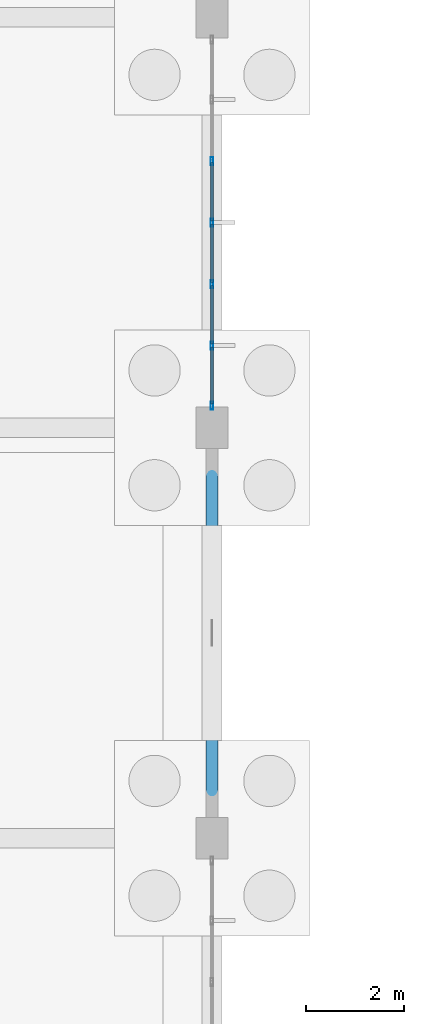
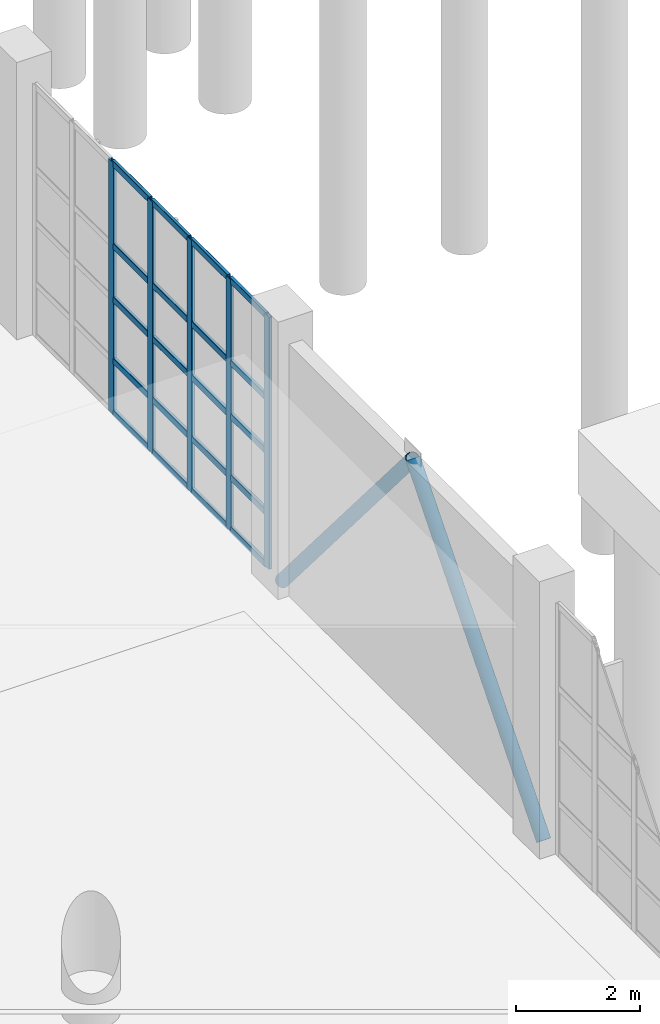
# One storey, part 22 of 83: 27 members, 1 element without a shape of its own.
"""IFC4 building model written with IfcOpenShell, lengths in metres."""

from ifc_helpers import new_model, si_unit, direction, frame, origin, origin_2d, place, context, subcontext, project, spatial, hollow_rectangle, hollow_circle, extrude, material, layer, layer_set, material_profile, profile_set, type_object, element, aggregate, save


model = new_model("IFC4")

# Units and contexts
model_context = context("Model", 3, precision=1e-05, world=origin(), true_north=direction((0.0, 1.0)))
body_context = subcontext(model_context, "Body", "Model", "MODEL_VIEW")
ifc_project = project(units=[si_unit("LENGTHUNIT", "METRE"), si_unit("AREAUNIT", "SQUARE_METRE"), si_unit("VOLUMEUNIT", "CUBIC_METRE"), si_unit("PLANEANGLEUNIT", "RADIAN"), si_unit("MASSUNIT", "GRAM", prefix="KILO"), si_unit("THERMODYNAMICTEMPERATUREUNIT", "KELVIN"), si_unit("POWERUNIT", "WATT")], contexts=[model_context])

# Site, building, storey
site_placement = place(None, origin())
site = spatial("IfcSite", under=ifc_project, at=site_placement, CompositionType="ELEMENT")
building_placement = place(site_placement, origin())
building = spatial("IfcBuilding", under=site, at=building_placement, Name="Mavoryth Pier Ferry Terminal", CompositionType="ELEMENT")
storey_placement = place(building_placement, origin())
storey = spatial("IfcBuildingStorey", under=building, at=storey_placement, Name="L00", CompositionType="ELEMENT", Elevation=0.0)

# Members
ifc_material_1 = material(Name="Steel S355J2", Category="steel")
ifc_material_profile_1 = material_profile(ifc_material_1, hollow_circle(Radius=0.122314453125, WallThickness=0.012451171875, at=origin_2d()), Name="CHS 244.5x12.5", Category="steel")
ifc_profile_set_1 = profile_set([ifc_material_profile_1], Name="Steel S355J2 - CHS 244.5x12.5")
member_type_1 = type_object("IfcMemberType", Name="Brace-Diag-CHS245", PredefinedType="BRACE", material=ifc_profile_set_1)
for number, where, z_axis, x_axis, name in (
    (1, (33.60009765625, 30.39990234375, 0.0), (0.0, 0.647759892806, 0.761844551908), (-1.0, 0.0, 0.0), "Steel Member MB-L00-0302"),
    (2, (33.60009765625, 38.800048828125, 0.0), (0.0, -0.64773803869, 0.761863132875), (1.0, 0.0, 0.0), "Steel Member MB-L00-0303"),
):
    element("IfcMember", number, at=place(storey_placement, frame(where, z_axis=z_axis, x_axis=x_axis)), inside=storey, type_object=member_type_1, Name=name, PredefinedType="BRACE", context=body_context, shape_type="SweptSolid", body=[
        extrude(hollow_circle(Radius=0.122314453125, WallThickness=0.012451171875, at=origin_2d()), origin(), (0.0, 0.0, 1.0), 6.484130859375),
    ])

# Curtain wall, members
ifc_material_2 = material(Name="Anodised Aluminium and Solar-Control Low-E Glass", Category="aluminium")
ifc_layer = layer(ifc_material_2, 0.199951171875, Name="Anodised Aluminium and Solar-Control Low-E Glass", Category="aluminium")
ifc_layer_set = layer_set([ifc_layer], Name="Anodised Aluminium and Solar-Control Low-E Glass - CW-Concourse-Mod1200")
curtain_wall_type = type_object("IfcCurtainWallType", Name="CW-Concourse-Mod1200", PredefinedType="USERDEFINED", material=ifc_layer_set)
curtain_wall_placement = place(storey_placement, origin())
curtain_wall = element("IfcCurtainWall", 3, at=curtain_wall_placement, inside=storey, type_object=curtain_wall_type, Name="Curtain Wall CW-0022-004", ObjectType="UNITISED CURTAIN WALL", PredefinedType="USERDEFINED")
ifc_material_3 = material(Name="Anodised Aluminium EN AW-6063", Category="aluminium")
ifc_material_profile_2 = material_profile(ifc_material_3, hollow_rectangle(XDim=0.06005859375, YDim=0.1650390625, WallThickness=0.00390625, InnerFilletRadius=0.00390625, OuterFilletRadius=0.008056640625, at=origin_2d()), Name="AL-MULL 165x60x4", Category="aluminium")
ifc_profile_set_2 = profile_set([ifc_material_profile_2], Name="Anodised Aluminium EN AW-6063 - AL-MULL 165x60x4")
member_type_2 = type_object("IfcMemberType", Name="Mullion-Alum-165x60", PredefinedType="MULLION", material=ifc_profile_set_2)
member_1_placement = place(storey_placement, frame((33.60009765625, 39.2548828125, 0.0), z_axis=(0.0, 0.0, 1.0), x_axis=(-1.0, 0.0, 0.0)))
member_1 = element("IfcMember", 4, at=member_1_placement, type_object=member_type_2, Name="CW02 mullion 1", PredefinedType="MULLION", context=body_context, shape_type="SweptSolid", body=[
    extrude(hollow_rectangle(XDim=0.06005859375, YDim=0.1650390625, WallThickness=0.00390625, InnerFilletRadius=0.00390625, OuterFilletRadius=0.008056640625, at=origin_2d()), origin(), (0.0, 0.0, 1.0), 4.93994140625),
])
member_2_placement = place(storey_placement, frame((33.60009765625, 40.4833984375, 0.0), z_axis=(0.0, 0.0, 1.0), x_axis=(-1.0, 0.0, 0.0)))
member_2 = element("IfcMember", 5, at=member_2_placement, type_object=member_type_2, Name="CW02 mullion 2", PredefinedType="MULLION", context=body_context, shape_type="SweptSolid", body=[
    extrude(hollow_rectangle(XDim=0.06005859375, YDim=0.1650390625, WallThickness=0.00390625, InnerFilletRadius=0.00390625, OuterFilletRadius=0.008056640625, at=origin_2d()), origin(), (0.0, 0.0, 1.0), 4.93994140625),
])
member_3_placement = place(storey_placement, frame((33.60009765625, 41.74169921875, 0.0), z_axis=(0.0, 0.0, 1.0), x_axis=(-1.0, 0.0, 0.0)))
member_3 = element("IfcMember", 6, at=member_3_placement, type_object=member_type_2, Name="CW02 mullion 3", PredefinedType="MULLION", context=body_context, shape_type="SweptSolid", body=[
    extrude(hollow_rectangle(XDim=0.06005859375, YDim=0.1650390625, WallThickness=0.00390625, InnerFilletRadius=0.00390625, OuterFilletRadius=0.008056640625, at=origin_2d()), origin(), (0.0, 0.0, 1.0), 4.93994140625),
])
member_4_placement = place(storey_placement, frame((33.60009765625, 43.0, 0.0), z_axis=(0.0, 0.0, 1.0), x_axis=(-1.0, 0.0, 0.0)))
member_4 = element("IfcMember", 7, at=member_4_placement, type_object=member_type_2, Name="CW02 mullion 4", PredefinedType="MULLION", context=body_context, shape_type="SweptSolid", body=[
    extrude(hollow_rectangle(XDim=0.06005859375, YDim=0.1650390625, WallThickness=0.00390625, InnerFilletRadius=0.00390625, OuterFilletRadius=0.008056640625, at=origin_2d()), origin(), (0.0, 0.0, 1.0), 4.93994140625),
])
member_5_placement = place(storey_placement, frame((33.60009765625, 44.25830078125, 0.0), z_axis=(0.0, 0.0, 1.0), x_axis=(-1.0, 0.0, 0.0)))
member_5 = element("IfcMember", 8, at=member_5_placement, type_object=member_type_2, Name="CW02 mullion 5", PredefinedType="MULLION", context=body_context, shape_type="SweptSolid", body=[
    extrude(hollow_rectangle(XDim=0.06005859375, YDim=0.1650390625, WallThickness=0.00390625, InnerFilletRadius=0.00390625, OuterFilletRadius=0.008056640625, at=origin_2d()), origin(), (0.0, 0.0, 1.0), 4.93994140625),
])
ifc_material_profile_3 = material_profile(ifc_material_3, hollow_rectangle(XDim=0.06005859375, YDim=0.125, WallThickness=0.00390625, InnerFilletRadius=0.00390625, OuterFilletRadius=0.008056640625, at=origin_2d()), Name="AL-TRAN 125x60x4", Category="aluminium")
ifc_profile_set_3 = profile_set([ifc_material_profile_3], Name="Anodised Aluminium EN AW-6063 - AL-TRAN 125x60x4")
member_type_3 = type_object("IfcMemberType", Name="Transom-Alum-125x60", PredefinedType="USERDEFINED", material=ifc_profile_set_3)
member_6_placement = place(storey_placement, frame((33.60009765625, 39.284912109375, 0.030029296875), z_axis=(0.0, 1.0, 0.0), x_axis=(-1.0, 0.0, 0.0)))
member_6 = element("IfcMember", 9, at=member_6_placement, type_object=member_type_3, Name="CW02 transom 1.1", ObjectType="TRANSOM", PredefinedType="USERDEFINED", context=body_context, shape_type="SweptSolid", body=[
    extrude(hollow_rectangle(XDim=0.06005859375, YDim=0.125, WallThickness=0.00390625, InnerFilletRadius=0.00390625, OuterFilletRadius=0.008056640625, at=origin_2d()), origin(), (0.0, 0.0, 1.0), 1.16845703125),
])
member_7_placement = place(storey_placement, frame((33.60009765625, 39.284912109375, 1.050048828125), z_axis=(0.0, 1.0, 0.0), x_axis=(-1.0, 0.0, 0.0)))
member_7 = element("IfcMember", 10, at=member_7_placement, type_object=member_type_3, Name="CW02 transom 1.2", ObjectType="TRANSOM", PredefinedType="USERDEFINED", context=body_context, shape_type="SweptSolid", body=[
    extrude(hollow_rectangle(XDim=0.06005859375, YDim=0.125, WallThickness=0.00390625, InnerFilletRadius=0.00390625, OuterFilletRadius=0.008056640625, at=origin_2d()), origin(), (0.0, 0.0, 1.0), 1.16845703125),
])
member_8_placement = place(storey_placement, frame((33.60009765625, 39.284912109375, 2.25), z_axis=(0.0, 1.0, 0.0), x_axis=(-1.0, 0.0, 0.0)))
member_8 = element("IfcMember", 11, at=member_8_placement, type_object=member_type_3, Name="CW02 transom 1.3", ObjectType="TRANSOM", PredefinedType="USERDEFINED", context=body_context, shape_type="SweptSolid", body=[
    extrude(hollow_rectangle(XDim=0.06005859375, YDim=0.125, WallThickness=0.00390625, InnerFilletRadius=0.00390625, OuterFilletRadius=0.008056640625, at=origin_2d()), origin(), (0.0, 0.0, 1.0), 1.16845703125),
])
member_9_placement = place(storey_placement, frame((33.60009765625, 39.284912109375, 3.300048828125), z_axis=(0.0, 1.0, 0.0), x_axis=(-1.0, 0.0, 0.0)))
member_9 = element("IfcMember", 12, at=member_9_placement, type_object=member_type_3, Name="CW02 transom 1.4", ObjectType="TRANSOM", PredefinedType="USERDEFINED", context=body_context, shape_type="SweptSolid", body=[
    extrude(hollow_rectangle(XDim=0.06005859375, YDim=0.125, WallThickness=0.00390625, InnerFilletRadius=0.00390625, OuterFilletRadius=0.008056640625, at=origin_2d()), origin(), (0.0, 0.0, 1.0), 1.16845703125),
])
member_10_placement = place(storey_placement, frame((33.60009765625, 39.284912109375, 4.909912109375), z_axis=(0.0, 1.0, 0.0), x_axis=(-1.0, 0.0, 0.0)))
member_10 = element("IfcMember", 13, at=member_10_placement, type_object=member_type_3, Name="CW02 transom 1.5", ObjectType="TRANSOM", PredefinedType="USERDEFINED", context=body_context, shape_type="SweptSolid", body=[
    extrude(hollow_rectangle(XDim=0.06005859375, YDim=0.125, WallThickness=0.00390625, InnerFilletRadius=0.00390625, OuterFilletRadius=0.008056640625, at=origin_2d()), origin(), (0.0, 0.0, 1.0), 1.16845703125),
])
member_11_placement = place(storey_placement, frame((33.60009765625, 40.513427734375, 0.030029296875), z_axis=(0.0, 1.0, 0.0), x_axis=(-1.0, 0.0, 0.0)))
member_11 = element("IfcMember", 14, at=member_11_placement, type_object=member_type_3, Name="CW02 transom 2.1", ObjectType="TRANSOM", PredefinedType="USERDEFINED", context=body_context, shape_type="SweptSolid", body=[
    extrude(hollow_rectangle(XDim=0.06005859375, YDim=0.125, WallThickness=0.00390625, InnerFilletRadius=0.00390625, OuterFilletRadius=0.008056640625, at=origin_2d()), origin(), (0.0, 0.0, 1.0), 1.1982421875),
])
member_12_placement = place(storey_placement, frame((33.60009765625, 40.513427734375, 1.050048828125), z_axis=(0.0, 1.0, 0.0), x_axis=(-1.0, 0.0, 0.0)))
member_12 = element("IfcMember", 15, at=member_12_placement, type_object=member_type_3, Name="CW02 transom 2.2", ObjectType="TRANSOM", PredefinedType="USERDEFINED", context=body_context, shape_type="SweptSolid", body=[
    extrude(hollow_rectangle(XDim=0.06005859375, YDim=0.125, WallThickness=0.00390625, InnerFilletRadius=0.00390625, OuterFilletRadius=0.008056640625, at=origin_2d()), origin(), (0.0, 0.0, 1.0), 1.1982421875),
])
member_13_placement = place(storey_placement, frame((33.60009765625, 40.513427734375, 2.25), z_axis=(0.0, 1.0, 0.0), x_axis=(-1.0, 0.0, 0.0)))
member_13 = element("IfcMember", 16, at=member_13_placement, type_object=member_type_3, Name="CW02 transom 2.3", ObjectType="TRANSOM", PredefinedType="USERDEFINED", context=body_context, shape_type="SweptSolid", body=[
    extrude(hollow_rectangle(XDim=0.06005859375, YDim=0.125, WallThickness=0.00390625, InnerFilletRadius=0.00390625, OuterFilletRadius=0.008056640625, at=origin_2d()), origin(), (0.0, 0.0, 1.0), 1.1982421875),
])
member_14_placement = place(storey_placement, frame((33.60009765625, 40.513427734375, 3.300048828125), z_axis=(0.0, 1.0, 0.0), x_axis=(-1.0, 0.0, 0.0)))
member_14 = element("IfcMember", 17, at=member_14_placement, type_object=member_type_3, Name="CW02 transom 2.4", ObjectType="TRANSOM", PredefinedType="USERDEFINED", context=body_context, shape_type="SweptSolid", body=[
    extrude(hollow_rectangle(XDim=0.06005859375, YDim=0.125, WallThickness=0.00390625, InnerFilletRadius=0.00390625, OuterFilletRadius=0.008056640625, at=origin_2d()), origin(), (0.0, 0.0, 1.0), 1.1982421875),
])
member_15_placement = place(storey_placement, frame((33.60009765625, 40.513427734375, 4.909912109375), z_axis=(0.0, 1.0, 0.0), x_axis=(-1.0, 0.0, 0.0)))
member_15 = element("IfcMember", 18, at=member_15_placement, type_object=member_type_3, Name="CW02 transom 2.5", ObjectType="TRANSOM", PredefinedType="USERDEFINED", context=body_context, shape_type="SweptSolid", body=[
    extrude(hollow_rectangle(XDim=0.06005859375, YDim=0.125, WallThickness=0.00390625, InnerFilletRadius=0.00390625, OuterFilletRadius=0.008056640625, at=origin_2d()), origin(), (0.0, 0.0, 1.0), 1.1982421875),
])
member_16_placement = place(storey_placement, frame((33.60009765625, 41.771728515625, 0.030029296875), z_axis=(0.0, 1.0, 0.0), x_axis=(-1.0, 0.0, 0.0)))
member_16 = element("IfcMember", 19, at=member_16_placement, type_object=member_type_3, Name="CW02 transom 3.1", ObjectType="TRANSOM", PredefinedType="USERDEFINED", context=body_context, shape_type="SweptSolid", body=[
    extrude(hollow_rectangle(XDim=0.06005859375, YDim=0.125, WallThickness=0.00390625, InnerFilletRadius=0.00390625, OuterFilletRadius=0.008056640625, at=origin_2d()), origin(), (0.0, 0.0, 1.0), 1.1982421875),
])
member_17_placement = place(storey_placement, frame((33.60009765625, 41.771728515625, 1.050048828125), z_axis=(0.0, 1.0, 0.0), x_axis=(-1.0, 0.0, 0.0)))
member_17 = element("IfcMember", 20, at=member_17_placement, type_object=member_type_3, Name="CW02 transom 3.2", ObjectType="TRANSOM", PredefinedType="USERDEFINED", context=body_context, shape_type="SweptSolid", body=[
    extrude(hollow_rectangle(XDim=0.06005859375, YDim=0.125, WallThickness=0.00390625, InnerFilletRadius=0.00390625, OuterFilletRadius=0.008056640625, at=origin_2d()), origin(), (0.0, 0.0, 1.0), 1.1982421875),
])
member_18_placement = place(storey_placement, frame((33.60009765625, 41.771728515625, 2.25), z_axis=(0.0, 1.0, 0.0), x_axis=(-1.0, 0.0, 0.0)))
member_18 = element("IfcMember", 21, at=member_18_placement, type_object=member_type_3, Name="CW02 transom 3.3", ObjectType="TRANSOM", PredefinedType="USERDEFINED", context=body_context, shape_type="SweptSolid", body=[
    extrude(hollow_rectangle(XDim=0.06005859375, YDim=0.125, WallThickness=0.00390625, InnerFilletRadius=0.00390625, OuterFilletRadius=0.008056640625, at=origin_2d()), origin(), (0.0, 0.0, 1.0), 1.1982421875),
])
member_19_placement = place(storey_placement, frame((33.60009765625, 41.771728515625, 3.300048828125), z_axis=(0.0, 1.0, 0.0), x_axis=(-1.0, 0.0, 0.0)))
member_19 = element("IfcMember", 22, at=member_19_placement, type_object=member_type_3, Name="CW02 transom 3.4", ObjectType="TRANSOM", PredefinedType="USERDEFINED", context=body_context, shape_type="SweptSolid", body=[
    extrude(hollow_rectangle(XDim=0.06005859375, YDim=0.125, WallThickness=0.00390625, InnerFilletRadius=0.00390625, OuterFilletRadius=0.008056640625, at=origin_2d()), origin(), (0.0, 0.0, 1.0), 1.1982421875),
])
member_20_placement = place(storey_placement, frame((33.60009765625, 41.771728515625, 4.909912109375), z_axis=(0.0, 1.0, 0.0), x_axis=(-1.0, 0.0, 0.0)))
member_20 = element("IfcMember", 23, at=member_20_placement, type_object=member_type_3, Name="CW02 transom 3.5", ObjectType="TRANSOM", PredefinedType="USERDEFINED", context=body_context, shape_type="SweptSolid", body=[
    extrude(hollow_rectangle(XDim=0.06005859375, YDim=0.125, WallThickness=0.00390625, InnerFilletRadius=0.00390625, OuterFilletRadius=0.008056640625, at=origin_2d()), origin(), (0.0, 0.0, 1.0), 1.1982421875),
])
member_21_placement = place(storey_placement, frame((33.60009765625, 43.030029296875, 0.030029296875), z_axis=(0.0, 1.0, 0.0), x_axis=(-1.0, 0.0, 0.0)))
member_21 = element("IfcMember", 24, at=member_21_placement, type_object=member_type_3, Name="CW02 transom 4.1", ObjectType="TRANSOM", PredefinedType="USERDEFINED", context=body_context, shape_type="SweptSolid", body=[
    extrude(hollow_rectangle(XDim=0.06005859375, YDim=0.125, WallThickness=0.00390625, InnerFilletRadius=0.00390625, OuterFilletRadius=0.008056640625, at=origin_2d()), origin(), (0.0, 0.0, 1.0), 1.1982421875),
])
member_22_placement = place(storey_placement, frame((33.60009765625, 43.030029296875, 1.050048828125), z_axis=(0.0, 1.0, 0.0), x_axis=(-1.0, 0.0, 0.0)))
member_22 = element("IfcMember", 25, at=member_22_placement, type_object=member_type_3, Name="CW02 transom 4.2", ObjectType="TRANSOM", PredefinedType="USERDEFINED", context=body_context, shape_type="SweptSolid", body=[
    extrude(hollow_rectangle(XDim=0.06005859375, YDim=0.125, WallThickness=0.00390625, InnerFilletRadius=0.00390625, OuterFilletRadius=0.008056640625, at=origin_2d()), origin(), (0.0, 0.0, 1.0), 1.1982421875),
])
member_23_placement = place(storey_placement, frame((33.60009765625, 43.030029296875, 2.25), z_axis=(0.0, 1.0, 0.0), x_axis=(-1.0, 0.0, 0.0)))
member_23 = element("IfcMember", 26, at=member_23_placement, type_object=member_type_3, Name="CW02 transom 4.3", ObjectType="TRANSOM", PredefinedType="USERDEFINED", context=body_context, shape_type="SweptSolid", body=[
    extrude(hollow_rectangle(XDim=0.06005859375, YDim=0.125, WallThickness=0.00390625, InnerFilletRadius=0.00390625, OuterFilletRadius=0.008056640625, at=origin_2d()), origin(), (0.0, 0.0, 1.0), 1.1982421875),
])
member_24_placement = place(storey_placement, frame((33.60009765625, 43.030029296875, 3.300048828125), z_axis=(0.0, 1.0, 0.0), x_axis=(-1.0, 0.0, 0.0)))
member_24 = element("IfcMember", 27, at=member_24_placement, type_object=member_type_3, Name="CW02 transom 4.4", ObjectType="TRANSOM", PredefinedType="USERDEFINED", context=body_context, shape_type="SweptSolid", body=[
    extrude(hollow_rectangle(XDim=0.06005859375, YDim=0.125, WallThickness=0.00390625, InnerFilletRadius=0.00390625, OuterFilletRadius=0.008056640625, at=origin_2d()), origin(), (0.0, 0.0, 1.0), 1.1982421875),
])
member_25_placement = place(storey_placement, frame((33.60009765625, 43.030029296875, 4.909912109375), z_axis=(0.0, 1.0, 0.0), x_axis=(-1.0, 0.0, 0.0)))
member_25 = element("IfcMember", 28, at=member_25_placement, type_object=member_type_3, Name="CW02 transom 4.5", ObjectType="TRANSOM", PredefinedType="USERDEFINED", context=body_context, shape_type="SweptSolid", body=[
    extrude(hollow_rectangle(XDim=0.06005859375, YDim=0.125, WallThickness=0.00390625, InnerFilletRadius=0.00390625, OuterFilletRadius=0.008056640625, at=origin_2d()), origin(), (0.0, 0.0, 1.0), 1.1982421875),
])
aggregate(curtain_wall, [member_1, member_2, member_3, member_4, member_5, member_6, member_7, member_8, member_9, member_10, member_11, member_12, member_13, member_14, member_15, member_16, member_17, member_18, member_19, member_20, member_21, member_22, member_23, member_24, member_25])

save(model, "model.ifc")
